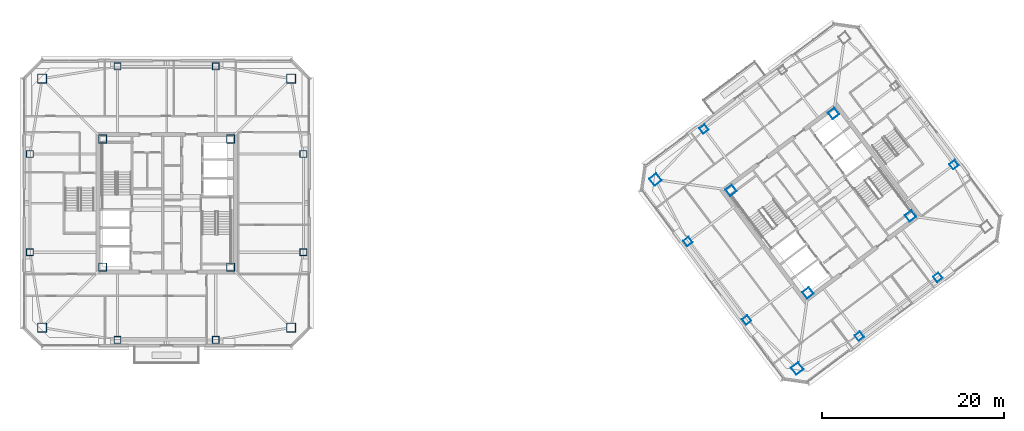
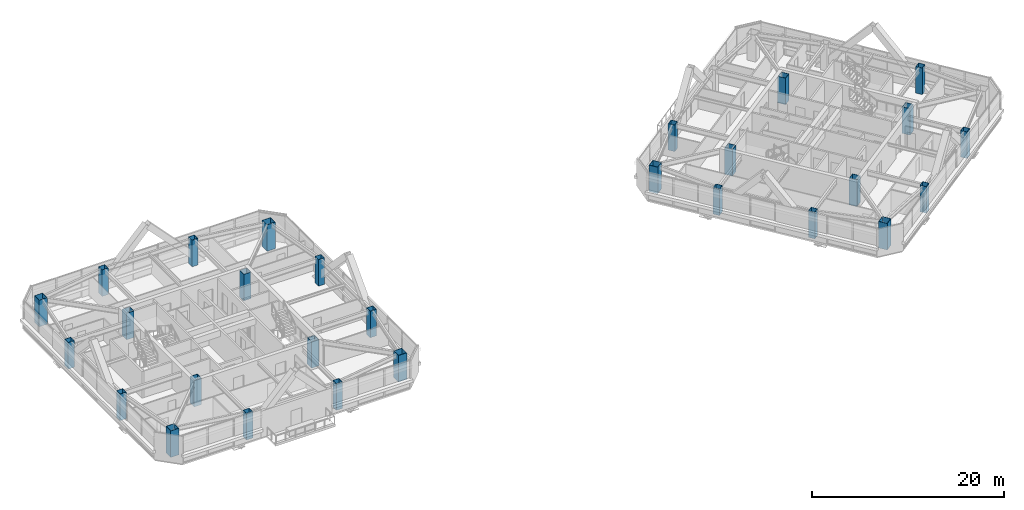
# One storey, part 1 of 39: 28 columns.
"""IFC4 building model written with IfcOpenShell, lengths in metres."""

from ifc_helpers import new_model, si_unit, direction, frame, origin, origin_2d, place, context, subcontext, project, spatial, hollow_rectangle, extrude, material, material_profile, profile_set, type_object, element, save


model = new_model("IFC4")

# Units and contexts
model_context = context("Model", 3, precision=1e-05, world=origin(), true_north=direction((0.0, 1.0)))
body_context = subcontext(model_context, "Body", "Model", "MODEL_VIEW")
ifc_project = project(units=[si_unit("LENGTHUNIT", "METRE"), si_unit("AREAUNIT", "SQUARE_METRE"), si_unit("VOLUMEUNIT", "CUBIC_METRE"), si_unit("PLANEANGLEUNIT", "RADIAN"), si_unit("MASSUNIT", "GRAM", prefix="KILO")], contexts=[model_context])

# Site, building, storey
site_placement = place(None, origin())
site = spatial("IfcSite", under=ifc_project, at=site_placement, CompositionType="ELEMENT")
building_placement = place(site_placement, origin())
building = spatial("IfcBuilding", under=site, at=building_placement, Name="Tashvorn Skyway Center", CompositionType="ELEMENT")
storey_placement = place(building_placement, frame((0.0, 0.0, 239.699951171875)))
storey = spatial("IfcBuildingStorey", under=building, at=storey_placement, Name="L65", CompositionType="ELEMENT", Elevation=239.699951171875)

# Columns
ifc_material = material(Name="Steel ASTM A572 Grade 50", Category="steel")
ifc_material_profile_1 = material_profile(ifc_material, hollow_rectangle(XDim=1.0, YDim=1.0, WallThickness=0.0400390625, at=origin_2d()), Name="BOX1000x1000x40")
ifc_profile_set_1 = profile_set([ifc_material_profile_1], Name="Steel ASTM A572 Grade 50")
column_type_1 = type_object("IfcColumnType", Name="COL-BOX1000x1000x40", PredefinedType="COLUMN", material=ifc_profile_set_1)
for number, where, z_axis, x_axis, name in (
    (1, (28.300048828125, 18.300048828125, 0.0), (0.0, 0.0, 1.0), (1.0, 0.0, 0.0), "Tower 1 L65 Mega-Column MC-SW"),
    (2, (55.699951171875, 18.300048828125, 0.0), (0.0, 0.0, 1.0), (1.0, 0.0, 0.0), "Tower 1 L65 Mega-Column MC-SE"),
    (3, (55.699951171875, 45.699951171875, 0.0), (0.0, 0.0, 1.0), (1.0, 0.0, 0.0), "Tower 1 L65 Mega-Column MC-NE"),
    (4, (28.300048828125, 45.699951171875, 0.0), (0.0, 0.0, 1.0), (1.0, 0.0, 0.0), "Tower 1 L65 Mega-Column MC-NW"),
    (5, (111.39990234375, 13.800048828125, 0.0), (0.0, 0.0, 1.0), (0.799999996291, 0.600000004945, 0.0), "Tower 2 L65 Mega-Column MC-SW"),
    (6, (95.800048828125, 34.60009765625, 0.0), (0.0, 0.0, 1.0), (0.799999996291, 0.600000004945, 0.0), "Tower 2 L65 Mega-Column MC-NW"),
):
    element("IfcColumn", number, at=place(storey_placement, frame(where, z_axis=z_axis, x_axis=x_axis)), inside=storey, type_object=column_type_1, Name=name, PredefinedType="COLUMN", context=body_context, shape_type="SweptSolid", body=[
        extrude(hollow_rectangle(XDim=1.0, YDim=1.0, WallThickness=0.0400390625, at=origin_2d()), origin(), (0.0, 0.0, 1.0), 3.3701171875),
    ])
ifc_material_profile_2 = material_profile(ifc_material, hollow_rectangle(XDim=0.75, YDim=0.75, WallThickness=0.031982421875, at=origin_2d()), Name="BOX750x750x32")
ifc_profile_set_2 = profile_set([ifc_material_profile_2], Name="Steel ASTM A572 Grade 50")
column_type_2 = type_object("IfcColumnType", Name="COL-BOX750x750x32", PredefinedType="COLUMN", material=ifc_profile_set_2)
for number, where, z_axis, x_axis, name in (
    (7, (36.60009765625, 16.949951171875, 0.0), (0.0, 0.0, 1.0), (1.0, 0.0, 0.0), "Tower 1 L65 Perimeter Column FC-S1"),
    (8, (47.39990234375, 16.949951171875, 0.0), (0.0, 0.0, 1.0), (1.0, 0.0, 0.0), "Tower 1 L65 Perimeter Column FC-S2"),
    (9, (57.050048828125, 26.60009765625, 0.0), (0.0, 0.0, 1.0), (1.0, 0.0, 0.0), "Tower 1 L65 Perimeter Column FC-E1"),
    (10, (57.050048828125, 37.39990234375, 0.0), (0.0, 0.0, 1.0), (1.0, 0.0, 0.0), "Tower 1 L65 Perimeter Column FC-E2"),
    (11, (47.39990234375, 47.050048828125, 0.0), (0.0, 0.0, 1.0), (1.0, 0.0, 0.0), "Tower 1 L65 Perimeter Column FC-N1"),
    (12, (36.60009765625, 47.050048828125, 0.0), (0.0, 0.0, 1.0), (1.0, 0.0, 0.0), "Tower 1 L65 Perimeter Column FC-N2"),
    (13, (26.949951171875, 37.39990234375, 0.0), (0.0, 0.0, 1.0), (1.0, 0.0, 0.0), "Tower 1 L65 Perimeter Column FC-W1"),
    (14, (26.949951171875, 26.60009765625, 0.0), (0.0, 0.0, 1.0), (1.0, 0.0, 0.0), "Tower 1 L65 Perimeter Column FC-W2"),
    (15, (118.22998046875, 17.360107421875, 0.0), (0.0, 0.0, 1.0), (0.799999996291, 0.600000004945, 0.0), "Tower 2 L65 Perimeter Column FC-S1"),
    (16, (126.8701171875, 23.840087890625, 0.0), (0.0, 0.0, 1.0), (0.799999996291, 0.600000004945, 0.0), "Tower 2 L65 Perimeter Column FC-S2"),
    (17, (128.639892578125, 36.22998046875, 0.0), (0.0, 0.0, 1.0), (0.799999996291, 0.600000004945, 0.0), "Tower 2 L65 Perimeter Column FC-E1"),
    (18, (101.1298828125, 40.159912109375, 0.0), (0.0, 0.0, 1.0), (0.799999996291, 0.600000004945, 0.0), "Tower 2 L65 Perimeter Column FC-N2"),
    (19, (99.360107421875, 27.77001953125, 0.0), (0.0, 0.0, 1.0), (0.799999996291, 0.600000004945, 0.0), "Tower 2 L65 Perimeter Column FC-W1"),
    (20, (105.840087890625, 19.1298828125, 0.0), (0.0, 0.0, 1.0), (0.799999996291, 0.600000004945, 0.0), "Tower 2 L65 Perimeter Column FC-W2"),
):
    element("IfcColumn", number, at=place(storey_placement, frame(where, z_axis=z_axis, x_axis=x_axis)), inside=storey, type_object=column_type_2, Name=name, PredefinedType="COLUMN", context=body_context, shape_type="SweptSolid", body=[
        extrude(hollow_rectangle(XDim=0.75, YDim=0.75, WallThickness=0.031982421875, at=origin_2d()), origin(), (0.0, 0.0, 1.0), 3.3701171875),
    ])
ifc_material_profile_3 = material_profile(ifc_material, hollow_rectangle(XDim=0.89990234375, YDim=0.89990234375, WallThickness=0.0400390625, at=origin_2d()), Name="BOX900x900x40")
ifc_profile_set_3 = profile_set([ifc_material_profile_3], Name="Steel ASTM A572 Grade 50")
column_type_3 = type_object("IfcColumnType", Name="COL-BOX900x900x40", PredefinedType="COLUMN", material=ifc_profile_set_3)
for number, where, z_axis, x_axis, name in (
    (21, (34.949951171875, 24.949951171875, 0.0), (0.0, 0.0, 1.0), (1.0, 0.0, 0.0), "Tower 1 L65 Core Corner Column CC-SW"),
    (22, (49.050048828125, 24.949951171875, 0.0), (0.0, 0.0, 1.0), (1.0, 0.0, 0.0), "Tower 1 L65 Core Corner Column CC-SE"),
    (23, (49.050048828125, 39.050048828125, 0.0), (0.0, 0.0, 1.0), (1.0, 0.0, 0.0), "Tower 1 L65 Core Corner Column CC-NE"),
    (24, (34.949951171875, 39.050048828125, 0.0), (0.0, 0.0, 1.0), (1.0, 0.0, 0.0), "Tower 1 L65 Core Corner Column CC-NW"),
    (25, (112.590087890625, 22.1298828125, 0.0), (0.0, 0.0, 1.0), (0.799999996291, 0.600000004945, 0.0), "Tower 2 L65 Core Corner Column CC-SW"),
    (26, (123.8701171875, 30.590087890625, 0.0), (0.0, 0.0, 1.0), (0.799999996291, 0.600000004945, 0.0), "Tower 2 L65 Core Corner Column CC-SE"),
    (27, (115.409912109375, 41.8701171875, 0.0), (0.0, 0.0, 1.0), (0.799999996291, 0.600000004945, 0.0), "Tower 2 L65 Core Corner Column CC-NE"),
    (28, (104.1298828125, 33.409912109375, 0.0), (0.0, 0.0, 1.0), (0.799999996291, 0.600000004945, 0.0), "Tower 2 L65 Core Corner Column CC-NW"),
):
    element("IfcColumn", number, at=place(storey_placement, frame(where, z_axis=z_axis, x_axis=x_axis)), inside=storey, type_object=column_type_3, Name=name, PredefinedType="COLUMN", context=body_context, shape_type="SweptSolid", body=[
        extrude(hollow_rectangle(XDim=0.89990234375, YDim=0.89990234375, WallThickness=0.0400390625, at=origin_2d()), origin(), (0.0, 0.0, 1.0), 3.3701171875),
    ])

save(model, "model.ifc")
